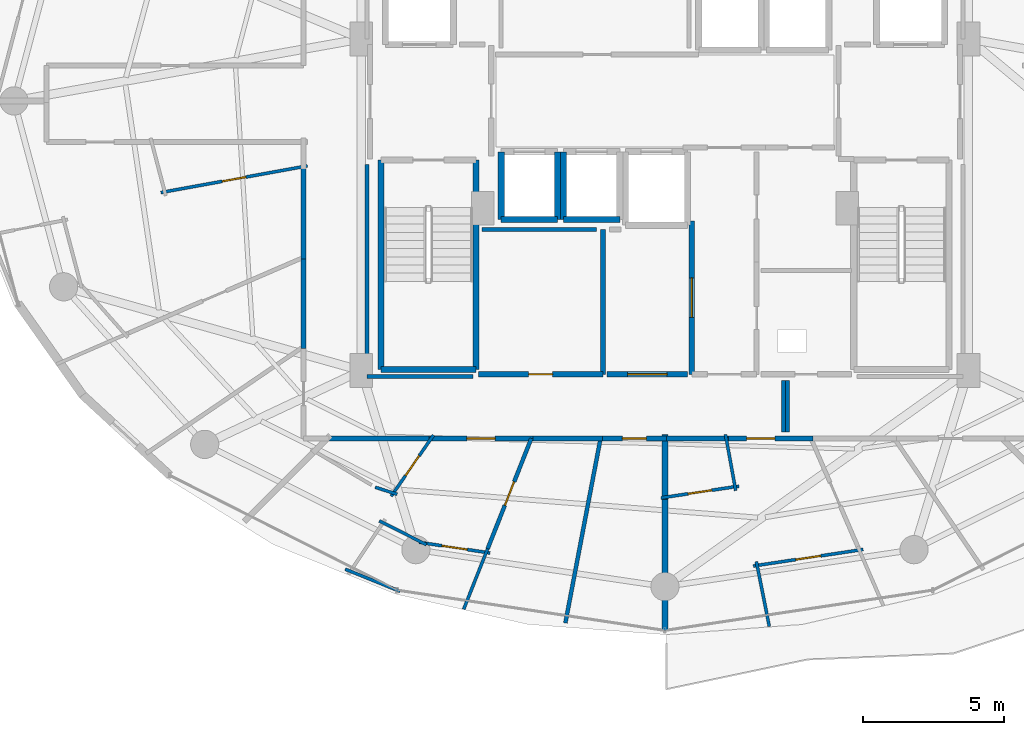
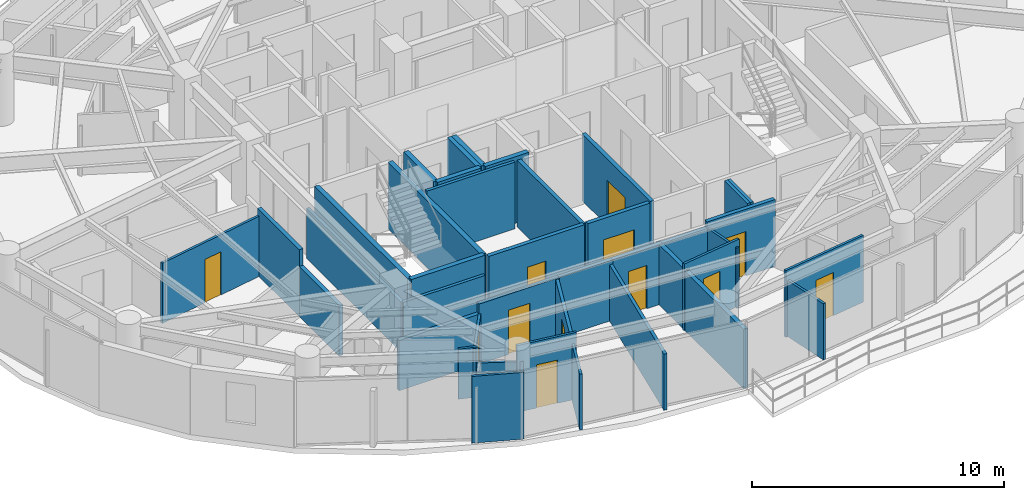
# One storey, part 22 of 31: 40 walls, 12 doors, 12 openings.
"""IFC4 building model written with IfcOpenShell, lengths in metres."""

import ifcopenshell
import ifcopenshell.guid

model = None  # the IFC model being written
_history = None  # IfcOwnerHistory: only IFC2X3 demands one
_inside = {}  # id of a spatial element -> (the spatial element, [elements in it])
_under = {}  # id of a project, library or spatial element -> (it, [spatial elements below it])
_declared = {}  # id of a project -> (the project, [libraries it declares])
_typed = {}  # id of a type object -> (the type object, [elements of that type])
_made_of = {}  # id of a material, layer set ... -> (it, [elements and type objects made of it])


def new_model(schema):
    """Start an empty IFC model of exactly this schema.

    Asked for "IFC4X3", IfcOpenShell would pick the latest addendum, in which some entities
    have other attributes; the version numbers below select the first issue.
    IFC2X3 requires an IfcOwnerHistory on every rooted entity: one is made here for all.
    """
    global model, _history
    if schema == "IFC4X3":
        model = ifcopenshell.file(schema_version=(4, 3, 0, 0))
    else:
        model = ifcopenshell.file(schema=schema)
    _inside.clear()
    _under.clear()
    _declared.clear()
    _typed.clear()
    _made_of.clear()
    _history = None
    if model.schema == "IFC2X3":
        org = make("IfcOrganization", Name="unknown")
        user = make(
            "IfcPersonAndOrganization",
            ThePerson=make("IfcPerson", FamilyName="unknown"),
            TheOrganization=org,
        )
        app = make(
            "IfcApplication",
            ApplicationDeveloper=org,
            Version="unknown",
            ApplicationFullName="unknown",
            ApplicationIdentifier="unknown",
        )
        _history = make(
            "IfcOwnerHistory",
            OwningUser=user,
            OwningApplication=app,
            ChangeAction="ADDED",
            CreationDate=0,
        )
    return model


def make(cls, **values):
    """One entity of the class cls with the attributes given. An attribute that is None is left unset."""
    return model.create_entity(
        cls, **{name: value for name, value in values.items() if value is not None}
    )


def rooted(cls, **values):
    """An entity with a GlobalId (a new one), such as an element, a storey or a relation."""
    return make(cls, GlobalId=ifcopenshell.guid.new(), OwnerHistory=_history, **values)


def si_unit(unit_type, name, prefix=None):
    """IfcSIUnit, for example si_unit("LENGTHUNIT", "METRE", prefix="MILLI")."""
    return make("IfcSIUnit", UnitType=unit_type, Prefix=prefix, Name=name)


def assignment(units):
    """IfcUnitAssignment: the units of a project."""
    return None if units is None else make("IfcUnitAssignment", Units=units)


def point(xyz):
    """IfcCartesianPoint."""
    return None if xyz is None else make("IfcCartesianPoint", Coordinates=xyz)


def direction(xyz):
    """IfcDirection."""
    return None if xyz is None else make("IfcDirection", DirectionRatios=xyz)


def frame(location, z_axis=None, x_axis=None):
    """IfcAxis2Placement3D, a coordinate frame: its origin and axes. An axis left out is left unset."""
    return make(
        "IfcAxis2Placement3D",
        Location=point(location),
        Axis=direction(z_axis),
        RefDirection=direction(x_axis),
    )


def frame_2d(location, x_axis=None):
    """IfcAxis2Placement2D, a coordinate frame in the plane: its origin and x axis."""
    return make(
        "IfcAxis2Placement2D", Location=point(location), RefDirection=direction(x_axis)
    )


def origin():
    """The frame at (0, 0, 0) with its axes left unset."""
    return frame((0.0, 0.0, 0.0))


def place(relative_to, where):
    """IfcLocalPlacement: puts the frame where relative to a parent placement (None: the world)."""
    return make(
        "IfcLocalPlacement", PlacementRelTo=relative_to, RelativePlacement=where
    )


def context(
    kind, dimensions, precision=None, world=None, true_north=None, identifier=None
):
    """IfcGeometricRepresentationContext, for example the 3D "Model" context."""
    return make(
        "IfcGeometricRepresentationContext",
        ContextIdentifier=identifier,
        ContextType=kind,
        CoordinateSpaceDimension=dimensions,
        Precision=precision,
        WorldCoordinateSystem=world,
        TrueNorth=true_north,
    )


def subcontext(parent, identifier, kind, view, scale=None):
    """IfcGeometricRepresentationSubContext, for example "Body" below "Model"."""
    return make(
        "IfcGeometricRepresentationSubContext",
        ContextIdentifier=identifier,
        ContextType=kind,
        ParentContext=parent,
        TargetScale=scale,
        TargetView=view,
    )


def project(units=None, contexts=None):
    """IfcProject with its units and contexts."""
    return rooted(
        "IfcProject",
        Name="project",
        RepresentationContexts=contexts,
        UnitsInContext=assignment(units),
    )


def spatial(cls, under=None, at=None, **own):
    """A site, building, storey or space (cls), placed at a placement, below another one or the project."""
    s = rooted(cls, ObjectPlacement=at, **own)
    if under is not None:
        _under.setdefault(under.id(), (under, []))[1].append(s)
    return s


def profile(cls, at=None, kind="AREA", **sizes):
    """A parametric profile (cls). Its sizes go by their IFC names, for example OverallWidth=200.0."""
    return make(cls, ProfileType=kind, Position=at, **sizes)


def rectangle(**sizes):
    """IfcRectangleProfileDef."""
    return profile("IfcRectangleProfileDef", **sizes)


def extrude(swept, where, along, depth):
    """IfcExtrudedAreaSolid: the profile swept, set in the frame where, extruded along a direction by depth."""
    return make(
        "IfcExtrudedAreaSolid",
        SweptArea=swept,
        Position=where,
        ExtrudedDirection=direction(along),
        Depth=depth,
    )


def shape(context_of_items, identifier, shape_type, items):
    """IfcShapeRepresentation: the items that make up one representation, for example the "Body"."""
    return make(
        "IfcShapeRepresentation",
        ContextOfItems=context_of_items,
        RepresentationIdentifier=identifier,
        RepresentationType=shape_type,
        Items=items,
    )


def material(Name=None, Category=None):
    """IfcMaterial."""
    return make("IfcMaterial", Name=Name, Category=Category)


def layer(
    of_material, thickness, ventilated=None, Name=None, Category=None, Priority=None
):
    """IfcMaterialLayer: one layer of a wall or slab, of a material (None: an air gap)."""
    return make(
        "IfcMaterialLayer",
        Material=of_material,
        LayerThickness=thickness,
        IsVentilated=ventilated,
        Name=Name,
        Category=Category,
        Priority=Priority,
    )


def layer_set(layers, Name=None):
    """IfcMaterialLayerSet."""
    return make("IfcMaterialLayerSet", MaterialLayers=layers, LayerSetName=Name)


def made_of(thing, what):
    """Note that an element or type object is made of a material, layer set ...; save() writes the relation."""
    if what is not None:
        _made_of.setdefault(what.id(), (what, []))[1].append(thing)
    return thing


def type_object(cls, material=None, **own):
    """A type object (cls), such as IfcWallType, which elements share."""
    return made_of(rooted(cls, **own), material)


def element(
    cls,
    number,
    at=None,
    inside=None,
    cuts=None,
    type_object=None,
    material=None,
    context=None,
    identifier="Body",
    shape_type=None,
    held_by="IfcProductDefinitionShape",
    body=None,
    shapes=None,
    **own,
):
    """One element of the class cls, such as IfcWall. Its Tag is "e" and its number.

    at: its placement. inside: the storey or other place that contains it. cuts: it is an
    opening in that element (IfcRelVoidsElement). A single representation is given by context,
    identifier, shape_type and body (its items); several are given by shapes. held_by: the class
    of the entity that holds the representations. save() writes the other relations.
    """
    e = rooted(cls, Tag="e%d" % number, ObjectPlacement=at, **own)
    if body is not None:
        shapes = [shape(context, identifier, shape_type, body)]
    if shapes is not None:
        e.Representation = make(held_by, Representations=shapes)
    if inside is not None:
        _inside.setdefault(inside.id(), (inside, []))[1].append(e)
    if cuts is not None:
        rooted(
            "IfcRelVoidsElement", RelatingBuildingElement=cuts, RelatedOpeningElement=e
        )
    if type_object is not None:
        _typed.setdefault(type_object.id(), (type_object, []))[1].append(e)
    return made_of(e, material)


def fill(opening, filler):
    """IfcRelFillsElement: the door or window that sits in an opening."""
    return rooted(
        "IfcRelFillsElement",
        RelatingOpeningElement=opening,
        RelatedBuildingElement=filler,
    )


def aggregate(whole, parts):
    """IfcRelAggregates: a whole, such as a stair, and the parts it consists of."""
    return rooted("IfcRelAggregates", RelatingObject=whole, RelatedObjects=parts)


def save(model, path):
    """Write the relations noted so far, then the file.

    IfcRelAggregates (storeys below a building ...), IfcRelContainedInSpatialStructure (elements
    in a storey), IfcRelDefinesByType, IfcRelAssociatesMaterial and IfcRelDeclares: one each for
    every whole, place, type object, material and project.
    """
    for whole, parts in _under.values():
        aggregate(whole, parts)
    for where, things in _inside.values():
        rooted(
            "IfcRelContainedInSpatialStructure",
            RelatedElements=things,
            RelatingStructure=where,
        )
    for kind, things in _typed.values():
        rooted("IfcRelDefinesByType", RelatedObjects=things, RelatingType=kind)
    for what, things in _made_of.values():
        rooted("IfcRelAssociatesMaterial", RelatedObjects=things, RelatingMaterial=what)
    for by, libraries in _declared.values():
        rooted("IfcRelDeclares", RelatingContext=by, RelatedDefinitions=libraries)
    model.write(path)


model = new_model("IFC4")

# Units and contexts
model_context = context("Model", 3, precision=1e-05, world=origin(), true_north=direction((0.0, 1.0)))
body_context = subcontext(model_context, "Body", "Model", "MODEL_VIEW")
ifc_project = project(units=[si_unit("LENGTHUNIT", "METRE"), si_unit("AREAUNIT", "SQUARE_METRE"), si_unit("VOLUMEUNIT", "CUBIC_METRE"), si_unit("PLANEANGLEUNIT", "RADIAN"), si_unit("MASSUNIT", "GRAM", prefix="KILO")], contexts=[model_context])

# Site, building, storey
site_placement = place(None, origin())
site = spatial("IfcSite", under=ifc_project, at=site_placement, CompositionType="ELEMENT")
building_placement = place(site_placement, origin())
building = spatial("IfcBuilding", under=site, at=building_placement, Name="Vorneva Point Tower", CompositionType="ELEMENT")
storey_placement = place(building_placement, frame((0.0, 0.0, 136.10009765625)))
storey = spatial("IfcBuildingStorey", under=building, at=storey_placement, Name="L36", CompositionType="ELEMENT", Elevation=136.10009765625)

# Wall, opening, door
ifc_material_1 = material(Name="Fire-rated acoustic gypsum stud partition", Category="gypsum")
ifc_layer_1 = layer(ifc_material_1, 0.110107421875)
ifc_layer_set_1 = layer_set([ifc_layer_1], Name="Fire-rated acoustic gypsum stud partition")
wall_type_1 = type_object("IfcWallType", Name="WL-PART-110", PredefinedType="PARTITIONING", material=ifc_layer_set_1)
wall_1_placement = place(storey_placement, frame((25.337646484375, 23.699951171875, 0.0), z_axis=(0.0, 0.0, 1.0), x_axis=(-0.983892120625, -0.178763237197, 0.0)))
wall_1 = element("IfcWall", 1, at=wall_1_placement, inside=storey, type_object=wall_type_1, Name="L36 Interior Partition 100", PredefinedType="PARTITIONING", context=body_context, shape_type="SweptSolid", body=[
    extrude(rectangle(XDim=5.2744140625, YDim=0.110107421875, at=frame_2d((2.63720703125, 0.0))), origin(), (0.0, 0.0, 1.0), 2.921875),
])
opening_1_placement = place(wall_1_placement, frame((2.212158203125, 0.0, 0.0)))
opening_1 = element("IfcOpeningElement", 2, at=opening_1_placement, cuts=wall_1, Name="Opening ID-02", PredefinedType="OPENING", context=body_context, shape_type="SweptSolid", body=[
    extrude(rectangle(XDim=0.85009765625, YDim=2.10009765625, at=frame_2d((0.425048828125, 1.050048828125))), frame((0.0, 0.06982421875, 0.0), z_axis=(0.0, -1.0, 0.0), x_axis=(1.0, 0.0, 0.0)), (0.0, 0.0, 1.0), 0.139892578125),
])
ifc_material_2 = material(Name="Engineered oak fire-rated door leaf", Category="wood")
door_type_1 = type_object("IfcDoorType", Name="DR-BATH-850", OperationType="NOTDEFINED", PredefinedType="DOOR", material=ifc_material_2)
door_1_placement = place(opening_1_placement, origin())
door_1 = element("IfcDoor", 3, at=door_1_placement, inside=storey, type_object=door_type_1, Name="L36 Door Living and Dining Room L36-05 / Bathroom L36-05", OperationType="SINGLE_SWING_LEFT", OverallHeight=2.10009765625, OverallWidth=0.85009765625, PredefinedType="DOOR", context=body_context, shape_type="SweptSolid", body=[
    extrude(rectangle(XDim=0.85009765625, YDim=2.10009765625, at=frame_2d((0.425048828125, 1.050048828125))), frame((0.0, 0.02490234375, 0.0), z_axis=(0.0, -1.0, 0.0), x_axis=(1.0, 0.0, 0.0)), (0.0, 0.0, 1.0), 0.050048828125),
])
fill(opening_1, door_1)

wall_2_placement = place(storey_placement, frame((29.8037109375, 14.1650390625, 0.0), z_axis=(0.0, 0.0, 1.0), x_axis=(-0.569156972472, -0.822228885826, 0.0)))
wall_2 = element("IfcWall", 4, at=wall_2_placement, inside=storey, type_object=wall_type_1, Name="L36 Interior Partition 111", PredefinedType="PARTITIONING", context=body_context, shape_type="SweptSolid", body=[
    extrude(rectangle(XDim=2.634521484375, YDim=0.110107421875, at=frame_2d((1.3173828125, 0.0))), origin(), (0.0, 0.0, 1.0), 2.431884765625),
])
opening_2_placement = place(wall_2_placement, frame((0.892333984375, 0.0, 0.0)))
opening_2 = element("IfcOpeningElement", 5, at=opening_2_placement, cuts=wall_2, Name="Opening ID-02", PredefinedType="OPENING", context=body_context, shape_type="SweptSolid", body=[
    extrude(rectangle(XDim=0.85009765625, YDim=2.10009765625, at=frame_2d((0.425048828125, 1.050048828125))), frame((0.0, 0.06982421875, 0.0), z_axis=(0.0, -1.0, 0.0), x_axis=(1.0, 0.0, 0.0)), (0.0, 0.0, 1.0), 0.139892578125),
])
door_2_placement = place(opening_2_placement, origin())
door_2 = element("IfcDoor", 6, at=door_2_placement, inside=storey, type_object=door_type_1, Name="L36 Door Living and Dining Room L36-06 / Bathroom L36-06", OperationType="SINGLE_SWING_LEFT", OverallHeight=2.10009765625, OverallWidth=0.85009765625, PredefinedType="DOOR", context=body_context, shape_type="SweptSolid", body=[
    extrude(rectangle(XDim=0.85009765625, YDim=2.10009765625, at=frame_2d((0.425048828125, 1.050048828125))), frame((0.0, 0.02490234375, 0.0), z_axis=(0.0, -1.0, 0.0), x_axis=(1.0, 0.0, 0.0)), (0.0, 0.0, 1.0), 0.050048828125),
])
fill(opening_2, door_2)

# Walls
wall_3_placement = place(storey_placement, frame((28.517333984375, 12.0712890625, 0.0), z_axis=(0.0, 0.0, 1.0), x_axis=(-0.952627998304, 0.304137956932, 0.0)))
element("IfcWall", 7, at=wall_3_placement, inside=storey, type_object=wall_type_1, Name="L36 Interior Partition 112", PredefinedType="PARTITIONING", context=body_context, shape_type="SweptSolid", body=[
    extrude(rectangle(XDim=0.819580078125, YDim=0.110107421875, at=frame_2d((0.40966796875, 0.0))), origin(), (0.0, 0.0, 1.0), 2.431884765625),
])
wall_4_placement = place(storey_placement, frame((27.887939453125, 11.127197265625, 0.0), z_axis=(0.0, 0.0, 1.0), x_axis=(0.892534718882, -0.450978686403, 0.0)))
element("IfcWall", 8, at=wall_4_placement, inside=storey, type_object=wall_type_1, Name="L36 Interior Partition 115", PredefinedType="PARTITIONING", context=body_context, shape_type="SweptSolid", body=[
    extrude(rectangle(XDim=1.865478515625, YDim=0.110107421875, at=frame_2d((0.9326171875, 0.0))), origin(), (0.0, 0.0, 1.0), 2.431884765625),
])

# Wall, opening, door
wall_5_placement = place(storey_placement, frame((29.28955078125, 10.369873046875, 0.0), z_axis=(0.0, 0.0, 1.0), x_axis=(0.988887788943, -0.148663851958, 0.0)))
wall_5 = element("IfcWall", 9, at=wall_5_placement, inside=storey, type_object=wall_type_1, Name="L36 Interior Partition 116", PredefinedType="PARTITIONING", context=body_context, shape_type="SweptSolid", body=[
    extrude(rectangle(XDim=2.547119140625, YDim=0.110107421875, at=frame_2d((1.2734375, 0.0))), origin(), (0.0, 0.0, 1.0), 3.239990234375),
])
opening_3_placement = place(wall_5_placement, frame((0.823486328125, 0.0, 0.0)))
opening_3 = element("IfcOpeningElement", 10, at=opening_3_placement, cuts=wall_5, Name="Opening ID-01", PredefinedType="OPENING", context=body_context, shape_type="SweptSolid", body=[
    extrude(rectangle(XDim=0.89990234375, YDim=2.10009765625, at=frame_2d((0.449951171875, 1.050048828125))), frame((0.0, 0.06982421875, 0.0), z_axis=(0.0, -1.0, 0.0), x_axis=(1.0, 0.0, 0.0)), (0.0, 0.0, 1.0), 0.139892578125),
])
door_type_2 = type_object("IfcDoorType", Name="DR-ROOM-900", OperationType="NOTDEFINED", PredefinedType="DOOR", material=ifc_material_2)
door_3_placement = place(opening_3_placement, origin())
door_3 = element("IfcDoor", 11, at=door_3_placement, inside=storey, type_object=door_type_2, Name="L36 Door Living and Dining Room L36-06 / Kitchen L36-06", OperationType="SINGLE_SWING_RIGHT", OverallHeight=2.10009765625, OverallWidth=0.89990234375, PredefinedType="DOOR", context=body_context, shape_type="SweptSolid", body=[
    extrude(rectangle(XDim=0.89990234375, YDim=2.10009765625, at=frame_2d((0.449951171875, 1.050048828125))), frame((0.0, 0.02490234375, 0.0), z_axis=(0.0, -1.0, 0.0), x_axis=(1.0, 0.0, 0.0)), (0.0, 0.0, 1.0), 0.050048828125),
])
fill(opening_3, door_3)

# Walls
wall_6_placement = place(storey_placement, frame((31.721435546875, 10.14208984375, 0.0), z_axis=(0.0, 0.0, 1.0), x_axis=(-0.368016079814, -0.929819426017, 0.0)))
element("IfcWall", 12, at=wall_6_placement, inside=storey, type_object=wall_type_1, Name="L36 Interior Partition 117", PredefinedType="PARTITIONING", context=body_context, shape_type="SweptSolid", body=[
    extrude(rectangle(XDim=2.309326171875, YDim=0.110107421875, at=frame_2d((1.15478515625, 0.0))), origin(), (0.0, 0.0, 1.0), 2.727783203125),
])
wall_7_placement = place(storey_placement, frame((26.67724609375, 9.41845703125, 0.0), z_axis=(0.0, 0.0, 1.0), x_axis=(0.926947774479, -0.375190382857, 0.0)))
element("IfcWall", 13, at=wall_7_placement, inside=storey, type_object=wall_type_1, Name="L36 Interior Partition 118", PredefinedType="PARTITIONING", context=body_context, shape_type="SweptSolid", body=[
    extrude(rectangle(XDim=2.10302734375, YDim=0.110107421875, at=frame_2d((1.051513671875, 0.0))), origin(), (0.0, 0.0, 1.0), 3.239990234375),
])
wall_8_placement = place(storey_placement, frame((40.14599609375, 14.187744140625, 0.0), z_axis=(0.0, 0.0, 1.0), x_axis=(0.178662196449, -0.983910473346, 0.0)))
element("IfcWall", 14, at=wall_8_placement, inside=storey, type_object=wall_type_1, Name="L36 Interior Partition 123", PredefinedType="PARTITIONING", context=body_context, shape_type="SweptSolid", body=[
    extrude(rectangle(XDim=2.02099609375, YDim=0.110107421875, at=frame_2d((1.010498046875, 0.0))), origin(), (0.0, 0.0, 1.0), 2.921875),
])

# Wall, opening, door
wall_9_placement = place(storey_placement, frame((40.620361328125, 12.35791015625, 0.0), z_axis=(0.0, 0.0, 1.0), x_axis=(-0.988884941862, -0.148682789046, 0.0)))
wall_9 = element("IfcWall", 15, at=wall_9_placement, inside=storey, type_object=wall_type_1, Name="L36 Interior Partition 124", PredefinedType="PARTITIONING", context=body_context, shape_type="SweptSolid", body=[
    extrude(rectangle(XDim=2.789794921875, YDim=0.110107421875, at=frame_2d((1.39501953125, 0.0))), origin(), (0.0, 0.0, 1.0), 3.239990234375),
])
opening_4_placement = place(wall_9_placement, frame((0.969970703125, 0.0, 0.0)))
opening_4 = element("IfcOpeningElement", 16, at=opening_4_placement, cuts=wall_9, Name="Opening ID-02", PredefinedType="OPENING", context=body_context, shape_type="SweptSolid", body=[
    extrude(rectangle(XDim=0.85009765625, YDim=2.10009765625, at=frame_2d((0.425048828125, 1.050048828125))), frame((0.0, 0.06982421875, 0.0), z_axis=(0.0, -1.0, 0.0), x_axis=(1.0, 0.0, 0.0)), (0.0, 0.0, 1.0), 0.139892578125),
])
door_4_placement = place(opening_4_placement, origin())
door_4 = element("IfcDoor", 17, at=door_4_placement, inside=storey, type_object=door_type_1, Name="L36 Door Living and Dining Room L36-07 / Bathroom L36-07", OperationType="SINGLE_SWING_RIGHT", OverallHeight=2.10009765625, OverallWidth=0.85009765625, PredefinedType="DOOR", context=body_context, shape_type="SweptSolid", body=[
    extrude(rectangle(XDim=0.85009765625, YDim=2.10009765625, at=frame_2d((0.425048828125, 1.050048828125))), frame((0.0, 0.02490234375, 0.0), z_axis=(0.0, -1.0, 0.0), x_axis=(1.0, 0.0, 0.0)), (0.0, 0.0, 1.0), 0.050048828125),
])
fill(opening_4, door_4)

wall_10_placement = place(storey_placement, frame((41.127685546875, 9.5302734375, 0.0), z_axis=(0.0, 0.0, 1.0), x_axis=(0.988884902331, 0.148683051965, 0.0)))
wall_10 = element("IfcWall", 18, at=wall_10_placement, inside=storey, type_object=wall_type_1, Name="L36 Interior Partition 125", PredefinedType="PARTITIONING", context=body_context, shape_type="SweptSolid", body=[
    extrude(rectangle(XDim=3.9375, YDim=0.110107421875, at=frame_2d((1.96875, 0.0))), origin(), (0.0, 0.0, 1.0), 3.239990234375),
])
opening_5_placement = place(wall_10_placement, frame((1.518798828125, 0.0, 0.0)))
opening_5 = element("IfcOpeningElement", 19, at=opening_5_placement, cuts=wall_10, Name="Opening ID-01", PredefinedType="OPENING", context=body_context, shape_type="SweptSolid", body=[
    extrude(rectangle(XDim=0.89990234375, YDim=2.10009765625, at=frame_2d((0.449951171875, 1.050048828125))), frame((0.0, 0.06982421875, 0.0), z_axis=(0.0, -1.0, 0.0), x_axis=(1.0, 0.0, 0.0)), (0.0, 0.0, 1.0), 0.139892578125),
])
door_5_placement = place(opening_5_placement, origin())
door_5 = element("IfcDoor", 20, at=door_5_placement, inside=storey, type_object=door_type_2, Name="L36 Door Living and Dining Room L36-07 / Kitchen L36-07", OperationType="SINGLE_SWING_LEFT", OverallHeight=2.10009765625, OverallWidth=0.89990234375, PredefinedType="DOOR", context=body_context, shape_type="SweptSolid", body=[
    extrude(rectangle(XDim=0.89990234375, YDim=2.10009765625, at=frame_2d((0.449951171875, 1.050048828125))), frame((0.0, 0.02490234375, 0.0), z_axis=(0.0, -1.0, 0.0), x_axis=(1.0, 0.0, 0.0)), (0.0, 0.0, 1.0), 0.050048828125),
])
fill(opening_5, door_5)

# Wall
wall_11_placement = place(storey_placement, frame((41.6962890625, 7.38671875, 0.0), z_axis=(0.0, 0.0, 1.0), x_axis=(-0.194975537261, 0.980808105528, 0.0)))
element("IfcWall", 21, at=wall_11_placement, inside=storey, type_object=wall_type_1, Name="L36 Interior Partition 126", PredefinedType="PARTITIONING", context=body_context, shape_type="SweptSolid", body=[
    extrude(rectangle(XDim=2.346435546875, YDim=0.110107421875, at=frame_2d((1.17333984375, 0.0))), origin(), (0.0, 0.0, 1.0), 2.727783203125),
])

# Wall, opening, door
ifc_layer_2 = layer(ifc_material_1, 0.139892578125)
ifc_layer_set_2 = layer_set([ifc_layer_2], Name="Fire-rated acoustic gypsum stud partition")
wall_type_2 = type_object("IfcWallType", Name="WL-PART-140", PredefinedType="PARTITIONING", material=ifc_layer_set_2)
wall_12_placement = place(storey_placement, frame((31.7216796875, 10.14208984375, 0.0), z_axis=(0.0, 0.0, 1.0), x_axis=(0.368143652048, 0.929768923688, 0.0)))
wall_12 = element("IfcWall", 22, at=wall_12_placement, inside=storey, type_object=wall_type_2, Name="L36 Interior Partition 119", PredefinedType="PARTITIONING", context=body_context, shape_type="SweptSolid", body=[
    extrude(rectangle(XDim=4.203125, YDim=0.139892578125, at=frame_2d((2.1015625, 0.0))), origin(), (0.0, 0.0, 1.0), 2.8740234375),
])
opening_6_placement = place(wall_12_placement, frame((1.651611328125, 0.0, 0.0)))
opening_6 = element("IfcOpeningElement", 23, at=opening_6_placement, cuts=wall_12, Name="Opening ID-01", PredefinedType="OPENING", context=body_context, shape_type="SweptSolid", body=[
    extrude(rectangle(XDim=0.89990234375, YDim=2.10009765625, at=frame_2d((0.449951171875, 1.050048828125))), frame((0.0, 0.0849609375, 0.0), z_axis=(0.0, -1.0, 0.0), x_axis=(1.0, 0.0, 0.0)), (0.0, 0.0, 1.0), 0.169677734375),
])
door_6_placement = place(opening_6_placement, origin())
door_6 = element("IfcDoor", 24, at=door_6_placement, inside=storey, type_object=door_type_2, Name="L36 Door Living and Dining Room L36-06 / Master Bedroom L36-06.1", OperationType="SINGLE_SWING_LEFT", OverallHeight=2.10009765625, OverallWidth=0.89990234375, PredefinedType="DOOR", context=body_context, shape_type="SweptSolid", body=[
    extrude(rectangle(XDim=0.89990234375, YDim=2.10009765625, at=frame_2d((0.449951171875, 1.050048828125))), frame((0.0, 0.02490234375, 0.0), z_axis=(0.0, -1.0, 0.0), x_axis=(1.0, 0.0, 0.0)), (0.0, 0.0, 1.0), 0.050048828125),
])
fill(opening_6, door_6)

# Walls
wall_13_placement = place(storey_placement, frame((34.47412109375, 7.512939453125, 0.0), z_axis=(0.0, 0.0, 1.0), x_axis=(0.187211570084, 0.982319616025, 0.0)))
element("IfcWall", 25, at=wall_13_placement, inside=storey, type_object=wall_type_2, Name="L36 Interior Partition 120", PredefinedType="PARTITIONING", context=body_context, shape_type="SweptSolid", body=[
    extrude(rectangle(XDim=6.65478515625, YDim=0.139892578125, at=frame_2d((3.327392578125, 0.0))), origin(), (0.0, 0.0, 1.0), 2.727783203125),
])
wall_14_placement = place(storey_placement, frame((35.580078125, 21.449951171875, 0.0), z_axis=(0.0, 0.0, 1.0), x_axis=(-1.0, 0.0, 0.0)))
element("IfcWall", 26, at=wall_14_placement, inside=storey, type_object=wall_type_2, Name="L36 Interior Closure Partition 136", PredefinedType="PARTITIONING", context=body_context, shape_type="SweptSolid", body=[
    extrude(rectangle(XDim=4.050048828125, YDim=0.139892578125, at=frame_2d((2.02490234375, 0.0))), origin(), (0.0, 0.0, 1.0), 3.239990234375),
])
wall_15_placement = place(storey_placement, frame((27.449951171875, 23.75390625, 0.0), z_axis=(0.0, 0.0, 1.0), x_axis=(0.0, -1.0, 0.0)))
element("IfcWall", 27, at=wall_15_placement, inside=storey, type_object=wall_type_2, Name="L36 Interior Closure Partition 146", PredefinedType="PARTITIONING", context=body_context, shape_type="SweptSolid", body=[
    extrude(rectangle(XDim=7.513916015625, YDim=0.139892578125, at=frame_2d((3.7568359375, 0.0))), origin(), (0.0, 0.0, 1.0), 2.431884765625),
])
wall_16_placement = place(storey_placement, frame((27.449951171875, 16.239990234375, 0.0), z_axis=(0.0, 0.0, 1.0), x_axis=(1.0, 0.0, 0.0)))
element("IfcWall", 28, at=wall_16_placement, inside=storey, type_object=wall_type_2, Name="L36 Interior Closure Partition 147", PredefinedType="PARTITIONING", context=body_context, shape_type="SweptSolid", body=[
    extrude(rectangle(XDim=3.7451171875, YDim=0.139892578125, at=frame_2d((1.87255859375, 0.0))), origin(), (0.0, 0.0, 1.0), 2.431884765625),
])
for number, where, z_axis, x_axis, name in (
    (29, (42.199951171875, 16.10009765625, 0.0), (0.0, 0.0, 1.0), (0.0, -1.0, 0.0), "L36 Interior Closure Partition 148"),
    (30, (42.340087890625, 14.27001953125, 0.0), (0.0, 0.0, 1.0), (0.0, 1.0, 0.0), "L36 Interior Closure Partition 149"),
):
    element("IfcWall", number, at=place(storey_placement, frame(where, z_axis=z_axis, x_axis=x_axis)), inside=storey, type_object=wall_type_2, Name=name, PredefinedType="PARTITIONING", context=body_context, shape_type="SweptSolid", body=[
        extrude(rectangle(XDim=1.830078125, YDim=0.139892578125, at=frame_2d((0.9150390625, 0.0))), origin(), (0.0, 0.0, 1.0), 3.239990234375),
    ])

# Wall, opening, door
ifc_material_3 = material(Name="Autoclaved aerated concrete blockwork", Category="masonry")
ifc_layer_3 = layer(ifc_material_3, 0.179931640625)
ifc_layer_set_3 = layer_set([ifc_layer_3], Name="Autoclaved aerated concrete blockwork")
wall_type_3 = type_object("IfcWallType", Name="WL-PART-180", PredefinedType="PARTITIONING", material=ifc_layer_set_3)
wall_17_placement = place(storey_placement, frame((38.949951171875, 21.7548828125, 0.0), z_axis=(0.0, 0.0, 1.0), x_axis=(0.0, -1.0, 0.0)))
wall_17 = element("IfcWall", 31, at=wall_17_placement, inside=storey, type_object=wall_type_3, Name="L36 Interior Partition 015", PredefinedType="PARTITIONING", context=body_context, shape_type="SweptSolid", body=[
    extrude(rectangle(XDim=5.434814453125, YDim=0.179931640625, at=frame_2d((2.71728515625, 0.0))), origin(), (0.0, 0.0, 1.0), 3.239990234375),
])
opening_7_placement = place(wall_17_placement, frame((2.017578125, 0.0, 0.0)))
opening_7 = element("IfcOpeningElement", 32, at=opening_7_placement, cuts=wall_17, Name="Opening FD-03", PredefinedType="OPENING", context=body_context, shape_type="SweptSolid", body=[
    extrude(rectangle(XDim=1.39990234375, YDim=2.199951171875, at=frame_2d((0.699951171875, 1.10009765625))), frame((0.0, 0.10498046875, 0.0), z_axis=(0.0, -1.0, 0.0), x_axis=(1.0, 0.0, 0.0)), (0.0, 0.0, 1.0), 0.209716796875),
])
ifc_material_4 = material(Name="Fire-rated powder-coated steel", Category="steel")
door_type_3 = type_object("IfcDoorType", Name="DR-PLT-1400", OperationType="DOUBLE_SWING_LEFT", PredefinedType="DOOR", material=ifc_material_4)
door_7_placement = place(opening_7_placement, origin())
door_7 = element("IfcDoor", 33, at=door_7_placement, inside=storey, type_object=door_type_3, Name="L36 Door Core Service Lobby / Telecoms and Data Room", OperationType="DOUBLE_SWING_LEFT", OverallHeight=2.199951171875, OverallWidth=1.39990234375, PredefinedType="DOOR", context=body_context, shape_type="SweptSolid", body=[
    extrude(rectangle(XDim=1.39990234375, YDim=2.199951171875, at=frame_2d((0.699951171875, 1.10009765625))), frame((0.0, 0.02490234375, 0.0), z_axis=(0.0, -1.0, 0.0), x_axis=(1.0, 0.0, 0.0)), (0.0, 0.0, 1.0), 0.050048828125),
])
fill(opening_7, door_7)

# Wall
wall_18_placement = place(storey_placement, frame((35.800048828125, 16.320068359375, 0.0), z_axis=(0.0, 0.0, 1.0), x_axis=(0.0, 1.0, 0.0)))
element("IfcWall", 34, at=wall_18_placement, inside=storey, type_object=wall_type_3, Name="L36 Interior Partition 027", PredefinedType="PARTITIONING", context=body_context, shape_type="SweptSolid", body=[
    extrude(rectangle(XDim=5.1298828125, YDim=0.179931640625, at=frame_2d((2.56494140625, 0.0))), origin(), (0.0, 0.0, 1.0), 3.239990234375),
])

# Wall, opening, door
wall_19_placement = place(storey_placement, frame((31.39990234375, 16.320068359375, 0.0), z_axis=(0.0, 0.0, 1.0), x_axis=(1.0, 0.0, 0.0)))
wall_19 = element("IfcWall", 35, at=wall_19_placement, inside=storey, type_object=wall_type_3, Name="L36 Interior Partition 028", PredefinedType="PARTITIONING", context=body_context, shape_type="SweptSolid", body=[
    extrude(rectangle(XDim=4.400146484375, YDim=0.179931640625, at=frame_2d((2.2001953125, 0.0))), origin(), (0.0, 0.0, 1.0), 3.239990234375),
])
opening_8_placement = place(wall_19_placement, frame((1.77490234375, 0.0, 0.0)))
opening_8 = element("IfcOpeningElement", 36, at=opening_8_placement, cuts=wall_19, Name="Opening ID-02", PredefinedType="OPENING", context=body_context, shape_type="SweptSolid", body=[
    extrude(rectangle(XDim=0.85009765625, YDim=2.10009765625, at=frame_2d((0.425048828125, 1.050048828125))), frame((0.0, 0.10498046875, 0.0), z_axis=(0.0, -1.0, 0.0), x_axis=(1.0, 0.0, 0.0)), (0.0, 0.0, 1.0), 0.209716796875),
])
door_8_placement = place(opening_8_placement, origin())
door_8 = element("IfcDoor", 37, at=door_8_placement, inside=storey, type_object=door_type_1, Name="L36 Door Bicycle Gear Store / L36 Circulation Corridor", OperationType="SINGLE_SWING_LEFT", OverallHeight=2.10009765625, OverallWidth=0.85009765625, PredefinedType="DOOR", context=body_context, shape_type="SweptSolid", body=[
    extrude(rectangle(XDim=0.85009765625, YDim=2.10009765625, at=frame_2d((0.425048828125, 1.050048828125))), frame((0.0, 0.02490234375, 0.0), z_axis=(0.0, -1.0, 0.0), x_axis=(1.0, 0.0, 0.0)), (0.0, 0.0, 1.0), 0.050048828125),
])
fill(opening_8, door_8)

wall_20_placement = place(storey_placement, frame((35.949951171875, 16.320068359375, 0.0), z_axis=(0.0, 0.0, 1.0), x_axis=(1.0, 0.0, 0.0)))
wall_20 = element("IfcWall", 38, at=wall_20_placement, inside=storey, type_object=wall_type_3, Name="L36 Interior Partition 029", PredefinedType="PARTITIONING", context=body_context, shape_type="SweptSolid", body=[
    extrude(rectangle(XDim=2.85009765625, YDim=0.179931640625, at=frame_2d((1.425048828125, 0.0))), origin(), (0.0, 0.0, 1.0), 3.239990234375),
])
opening_9_placement = place(wall_20_placement, frame((0.72509765625, 0.0, 0.0)))
opening_9 = element("IfcOpeningElement", 39, at=opening_9_placement, cuts=wall_20, Name="Opening FD-03", PredefinedType="OPENING", context=body_context, shape_type="SweptSolid", body=[
    extrude(rectangle(XDim=1.39990234375, YDim=2.199951171875, at=frame_2d((0.699951171875, 1.10009765625))), frame((0.0, 0.10498046875, 0.0), z_axis=(0.0, -1.0, 0.0), x_axis=(1.0, 0.0, 0.0)), (0.0, 0.0, 1.0), 0.209716796875),
])
door_9_placement = place(opening_9_placement, origin())
door_9 = element("IfcDoor", 40, at=door_9_placement, inside=storey, type_object=door_type_3, Name="L36 Door Telecoms and Data Room / L36 Circulation Corridor", OperationType="DOUBLE_SWING_LEFT", OverallHeight=2.199951171875, OverallWidth=1.39990234375, PredefinedType="DOOR", context=body_context, shape_type="SweptSolid", body=[
    extrude(rectangle(XDim=1.39990234375, YDim=2.199951171875, at=frame_2d((0.699951171875, 1.10009765625))), frame((0.0, 0.02490234375, 0.0), z_axis=(0.0, -1.0, 0.0), x_axis=(1.0, 0.0, 0.0)), (0.0, 0.0, 1.0), 0.050048828125),
])
fill(opening_9, door_9)

# Walls
wall_21_placement = place(storey_placement, frame((25.199951171875, 23.735107421875, 0.0), z_axis=(0.0, 0.0, 1.0), x_axis=(0.0, -1.0, 0.0)))
element("IfcWall", 41, at=wall_21_placement, inside=storey, type_object=wall_type_3, Name="L36 Interior Partition 047", PredefinedType="PARTITIONING", context=body_context, shape_type="SweptSolid", body=[
    extrude(rectangle(XDim=3.339111328125, YDim=0.179931640625, at=frame_2d((1.66943359375, 0.0))), origin(), (0.0, 0.0, 1.0), 3.239990234375),
])
wall_22_placement = place(storey_placement, frame((25.199951171875, 20.39599609375, 0.0), z_axis=(0.0, 0.0, 1.0), x_axis=(0.0, -1.0, 0.0)))
element("IfcWall", 42, at=wall_22_placement, inside=storey, type_object=wall_type_3, Name="L36 Interior Partition 050", PredefinedType="PARTITIONING", context=body_context, shape_type="SweptSolid", body=[
    extrude(rectangle(XDim=3.16796875, YDim=0.179931640625, at=frame_2d((1.583984375, 0.0))), origin(), (0.0, 0.0, 1.0), 2.431884765625),
])

# Wall, opening, door
wall_23_placement = place(storey_placement, frame((29.65087890625, 14.050048828125, 0.0), z_axis=(0.0, 0.0, 1.0), x_axis=(1.0, 0.0, 0.0)))
wall_23 = element("IfcWall", 43, at=wall_23_placement, inside=storey, type_object=wall_type_3, Name="L36 Interior Partition 053", PredefinedType="PARTITIONING", context=body_context, shape_type="SweptSolid", body=[
    extrude(rectangle(XDim=3.67822265625, YDim=0.179931640625, at=frame_2d((1.839111328125, 0.0))), origin(), (0.0, 0.0, 1.0), 2.921875),
])
opening_10_placement = place(wall_23_placement, frame((1.339111328125, 0.0, 0.0)))
opening_10 = element("IfcOpeningElement", 44, at=opening_10_placement, cuts=wall_23, Name="Opening UD-01", PredefinedType="OPENING", context=body_context, shape_type="SweptSolid", body=[
    extrude(rectangle(XDim=1.0, YDim=2.14990234375, at=frame_2d((0.5, 1.074951171875))), frame((0.0, 0.10498046875, 0.0), z_axis=(0.0, -1.0, 0.0), x_axis=(1.0, 0.0, 0.0)), (0.0, 0.0, 1.0), 0.209716796875),
])
door_type_4 = type_object("IfcDoorType", Name="DR-UNIT-1000", OperationType="NOTDEFINED", PredefinedType="DOOR", material=ifc_material_2)
door_10_placement = place(opening_10_placement, origin())
door_10 = element("IfcDoor", 45, at=door_10_placement, inside=storey, type_object=door_type_4, Name="L36 Door L36 Circulation Corridor / Living and Dining Room L36-06", OperationType="SINGLE_SWING_RIGHT", OverallHeight=2.14990234375, OverallWidth=1.0, PredefinedType="DOOR", context=body_context, shape_type="SweptSolid", body=[
    extrude(rectangle(XDim=1.0, YDim=2.14990234375, at=frame_2d((0.5, 1.074951171875))), frame((0.0, 0.02490234375, 0.0), z_axis=(0.0, -1.0, 0.0), x_axis=(1.0, 0.0, 0.0)), (0.0, 0.0, 1.0), 0.050048828125),
])
fill(opening_10, door_10)

# Walls
wall_24_placement = place(storey_placement, frame((25.969970703125, 14.050048828125, 0.0), z_axis=(0.0, 0.0, 1.0), x_axis=(1.0, 0.0, 0.0)))
element("IfcWall", 46, at=wall_24_placement, inside=storey, type_object=wall_type_3, Name="L36 Interior Partition 054", PredefinedType="PARTITIONING", context=body_context, shape_type="SweptSolid", body=[
    extrude(rectangle(XDim=3.821044921875, YDim=0.179931640625, at=frame_2d((1.91064453125, 0.0))), origin(), (0.0, 0.0, 1.0), 2.431884765625),
])
wall_25_placement = place(storey_placement, frame((33.3291015625, 14.050048828125, 0.0), z_axis=(0.0, 0.0, 1.0), x_axis=(1.0, 0.0, 0.0)))
element("IfcWall", 47, at=wall_25_placement, inside=storey, type_object=wall_type_3, Name="L36 Interior Partition 055", PredefinedType="PARTITIONING", context=body_context, shape_type="SweptSolid", body=[
    extrude(rectangle(XDim=2.450927734375, YDim=0.179931640625, at=frame_2d((1.2255859375, 0.0))), origin(), (0.0, 0.0, 1.0), 2.921875),
])

# Wall, opening, door
wall_26_placement = place(storey_placement, frame((35.780029296875, 14.050048828125, 0.0), z_axis=(0.0, 0.0, 1.0), x_axis=(1.0, 0.0, 0.0)))
wall_26 = element("IfcWall", 48, at=wall_26_placement, inside=storey, type_object=wall_type_3, Name="L36 Interior Partition 056", PredefinedType="PARTITIONING", context=body_context, shape_type="SweptSolid", body=[
    extrude(rectangle(XDim=2.280029296875, YDim=0.179931640625, at=frame_2d((1.14013671875, 0.0))), origin(), (0.0, 0.0, 1.0), 2.921875),
])
opening_11_placement = place(wall_26_placement, frame((0.715087890625, 0.0, 0.0)))
opening_11 = element("IfcOpeningElement", 49, at=opening_11_placement, cuts=wall_26, Name="Opening ID-02", PredefinedType="OPENING", context=body_context, shape_type="SweptSolid", body=[
    extrude(rectangle(XDim=0.85009765625, YDim=2.10009765625, at=frame_2d((0.425048828125, 1.050048828125))), frame((0.0, 0.10498046875, 0.0), z_axis=(0.0, -1.0, 0.0), x_axis=(1.0, 0.0, 0.0)), (0.0, 0.0, 1.0), 0.209716796875),
])
door_11_placement = place(opening_11_placement, origin())
door_11 = element("IfcDoor", 50, at=door_11_placement, inside=storey, type_object=door_type_1, Name="L36 Access Door L36 Circulation Corridor", OperationType="SINGLE_SWING_RIGHT", OverallHeight=2.10009765625, OverallWidth=0.85009765625, PredefinedType="DOOR", context=body_context, shape_type="SweptSolid", body=[
    extrude(rectangle(XDim=0.85009765625, YDim=2.10009765625, at=frame_2d((0.425048828125, 1.050048828125))), frame((0.0, 0.02490234375, 0.0), z_axis=(0.0, -1.0, 0.0), x_axis=(1.0, 0.0, 0.0)), (0.0, 0.0, 1.0), 0.050048828125),
])
fill(opening_11, door_11)

wall_27_placement = place(storey_placement, frame((40.111083984375, 14.050048828125, 0.0), z_axis=(0.0, 0.0, 1.0), x_axis=(1.0, 0.0, 0.0)))
wall_27 = element("IfcWall", 51, at=wall_27_placement, inside=storey, type_object=wall_type_3, Name="L36 Interior Partition 057", PredefinedType="PARTITIONING", context=body_context, shape_type="SweptSolid", body=[
    extrude(rectangle(XDim=3.125, YDim=0.179931640625, at=frame_2d((1.5625, 0.0))), origin(), (0.0, 0.0, 1.0), 3.239990234375),
])
opening_12_placement = place(wall_27_placement, frame((0.782470703125, 0.0, 0.0)))
opening_12 = element("IfcOpeningElement", 52, at=opening_12_placement, cuts=wall_27, Name="Opening UD-01", PredefinedType="OPENING", context=body_context, shape_type="SweptSolid", body=[
    extrude(rectangle(XDim=1.0, YDim=2.14990234375, at=frame_2d((0.5, 1.074951171875))), frame((0.0, 0.10498046875, 0.0), z_axis=(0.0, -1.0, 0.0), x_axis=(1.0, 0.0, 0.0)), (0.0, 0.0, 1.0), 0.209716796875),
])
door_12_placement = place(opening_12_placement, origin())
door_12 = element("IfcDoor", 53, at=door_12_placement, inside=storey, type_object=door_type_4, Name="L36 Door L36 Circulation Corridor / Living and Dining Room L36-07", OperationType="SINGLE_SWING_LEFT", OverallHeight=2.14990234375, OverallWidth=1.0, PredefinedType="DOOR", context=body_context, shape_type="SweptSolid", body=[
    extrude(rectangle(XDim=1.0, YDim=2.14990234375, at=frame_2d((0.5, 1.074951171875))), frame((0.0, 0.02490234375, 0.0), z_axis=(0.0, -1.0, 0.0), x_axis=(1.0, 0.0, 0.0)), (0.0, 0.0, 1.0), 0.050048828125),
])
fill(opening_12, door_12)

# Walls
wall_28_placement = place(storey_placement, frame((37.919921875, 14.050048828125, 0.0), z_axis=(0.0, 0.0, 1.0), x_axis=(1.0, 0.0, 0.0)))
element("IfcWall", 54, at=wall_28_placement, inside=storey, type_object=wall_type_3, Name="L36 Interior Partition 058", PredefinedType="PARTITIONING", context=body_context, shape_type="SweptSolid", body=[
    extrude(rectangle(XDim=2.3310546875, YDim=0.179931640625, at=frame_2d((1.16552734375, 0.0))), origin(), (0.0, 0.0, 1.0), 2.921875),
])
ifc_layer_4 = layer(ifc_material_3, 0.199951171875)
ifc_layer_set_4 = layer_set([ifc_layer_4], Name="Autoclaved aerated concrete blockwork")
wall_type_4 = type_object("IfcWallType", Name="WL-PART-200", PredefinedType="PARTITIONING", material=ifc_layer_set_4)
wall_29_placement = place(storey_placement, frame((38.0, 7.25, 0.0), z_axis=(0.0, 0.0, 1.0), x_axis=(0.0, 1.0, 0.0)))
element("IfcWall", 55, at=wall_29_placement, inside=storey, type_object=wall_type_4, Name="L36 Interior Partition 121", PredefinedType="PARTITIONING", context=body_context, shape_type="SweptSolid", body=[
    extrude(rectangle(XDim=4.77490234375, YDim=0.199951171875, at=frame_2d((2.387451171875, 0.0))), origin(), (0.0, 0.0, 1.0), 2.8740234375),
])
wall_30_placement = place(storey_placement, frame((38.0, 11.885009765625, 0.0), z_axis=(0.0, 0.0, 1.0), x_axis=(0.0, 1.0, 0.0)))
element("IfcWall", 56, at=wall_30_placement, inside=storey, type_object=wall_type_4, Name="L36 Interior Partition 122", PredefinedType="PARTITIONING", context=body_context, shape_type="SweptSolid", body=[
    extrude(rectangle(XDim=2.304931640625, YDim=0.199951171875, at=frame_2d((1.15234375, 0.0))), origin(), (0.0, 0.0, 1.0), 2.921875),
])
ifc_material_5 = material(Name="Concrete B50 (C40/50)", Category="concrete")
ifc_layer_5 = layer(ifc_material_5, 0.219970703125)
ifc_layer_set_5 = layer_set([ifc_layer_5], Name="Concrete B50 (C40/50)")
wall_type_5 = type_object("IfcWallType", Name="WL-SHFT-220", PredefinedType="SOLIDWALL", material=ifc_layer_set_5)
wall_31_placement = place(storey_placement, frame((31.31005859375, 23.909912109375, 0.0), z_axis=(0.0, 0.0, 1.0), x_axis=(0.0, -1.0, 0.0)))
element("IfcWall", 57, at=wall_31_placement, inside=storey, type_object=wall_type_5, Name="L36 Exit Stair ST1 Shaft Wall right", PredefinedType="SOLIDWALL", context=body_context, shape_type="SweptSolid", body=[
    extrude(rectangle(XDim=7.419921875, YDim=0.219970703125, at=frame_2d((3.7099609375, 0.0))), origin(), (0.0, 0.0, 1.0), 3.239990234375),
])
wall_32_placement = place(storey_placement, frame((31.31005859375, 16.489990234375, 0.0), z_axis=(0.0, 0.0, 1.0), x_axis=(-1.0, 0.0, 0.0)))
element("IfcWall", 58, at=wall_32_placement, inside=storey, type_object=wall_type_5, Name="L36 Exit Stair ST1 Shaft Wall far", PredefinedType="SOLIDWALL", context=body_context, shape_type="SweptSolid", body=[
    extrude(rectangle(XDim=3.3701171875, YDim=0.219970703125, at=frame_2d((1.68505859375, 0.0))), origin(), (0.0, 0.0, 1.0), 3.239990234375),
])
wall_33_placement = place(storey_placement, frame((27.93994140625, 16.489990234375, 0.0), z_axis=(0.0, 0.0, 1.0), x_axis=(0.0, 1.0, 0.0)))
element("IfcWall", 59, at=wall_33_placement, inside=storey, type_object=wall_type_5, Name="L36 Exit Stair ST1 Shaft Wall left", PredefinedType="SOLIDWALL", context=body_context, shape_type="SweptSolid", body=[
    extrude(rectangle(XDim=7.419921875, YDim=0.219970703125, at=frame_2d((3.7099609375, 0.0))), origin(), (0.0, 0.0, 1.0), 3.239990234375),
])
wall_34_placement = place(storey_placement, frame((32.199951171875, 21.800048828125, 0.0), z_axis=(0.0, 0.0, 1.0), x_axis=(1.0, 0.0, 0.0)))
element("IfcWall", 60, at=wall_34_placement, inside=storey, type_object=wall_type_5, Name="L36 Lift PL4 Shaft Wall -Y", PredefinedType="SOLIDWALL", context=body_context, shape_type="SweptSolid", body=[
    extrude(rectangle(XDim=2.0, YDim=0.219970703125, at=frame_2d((1.0, 0.0))), origin(), (0.0, 0.0, 1.0), 3.239990234375),
])
for number, where, z_axis, x_axis, name in (
    (61, (34.199951171875, 21.800048828125, 0.0), (0.0, 0.0, 1.0), (0.0, 1.0, 0.0), "L36 Lift PL4 Shaft Wall +X"),
    (62, (32.199951171875, 24.199951171875, 0.0), (0.0, 0.0, 1.0), (0.0, -1.0, 0.0), "L36 Lift PL4 Shaft Wall -X"),
):
    element("IfcWall", number, at=place(storey_placement, frame(where, z_axis=z_axis, x_axis=x_axis)), inside=storey, type_object=wall_type_5, Name=name, PredefinedType="SOLIDWALL", context=body_context, shape_type="SweptSolid", body=[
        extrude(rectangle(XDim=2.39990234375, YDim=0.219970703125, at=frame_2d((1.199951171875, 0.0))), origin(), (0.0, 0.0, 1.0), 3.239990234375),
    ])
wall_35_placement = place(storey_placement, frame((34.39990234375, 21.800048828125, 0.0), z_axis=(0.0, 0.0, 1.0), x_axis=(1.0, 0.0, 0.0)))
element("IfcWall", 63, at=wall_35_placement, inside=storey, type_object=wall_type_5, Name="L36 Lift PL5 Shaft Wall -Y", PredefinedType="SOLIDWALL", context=body_context, shape_type="SweptSolid", body=[
    extrude(rectangle(XDim=2.0, YDim=0.219970703125, at=frame_2d((1.0, 0.0))), origin(), (0.0, 0.0, 1.0), 3.239990234375),
])
wall_36_placement = place(storey_placement, frame((34.39990234375, 24.199951171875, 0.0), z_axis=(0.0, 0.0, 1.0), x_axis=(0.0, -1.0, 0.0)))
element("IfcWall", 64, at=wall_36_placement, inside=storey, type_object=wall_type_5, Name="L36 Lift PL5 Shaft Wall -X", PredefinedType="SOLIDWALL", context=body_context, shape_type="SweptSolid", body=[
    extrude(rectangle(XDim=2.39990234375, YDim=0.219970703125, at=frame_2d((1.199951171875, 0.0))), origin(), (0.0, 0.0, 1.0), 3.239990234375),
])

save(model, "model.ifc")
